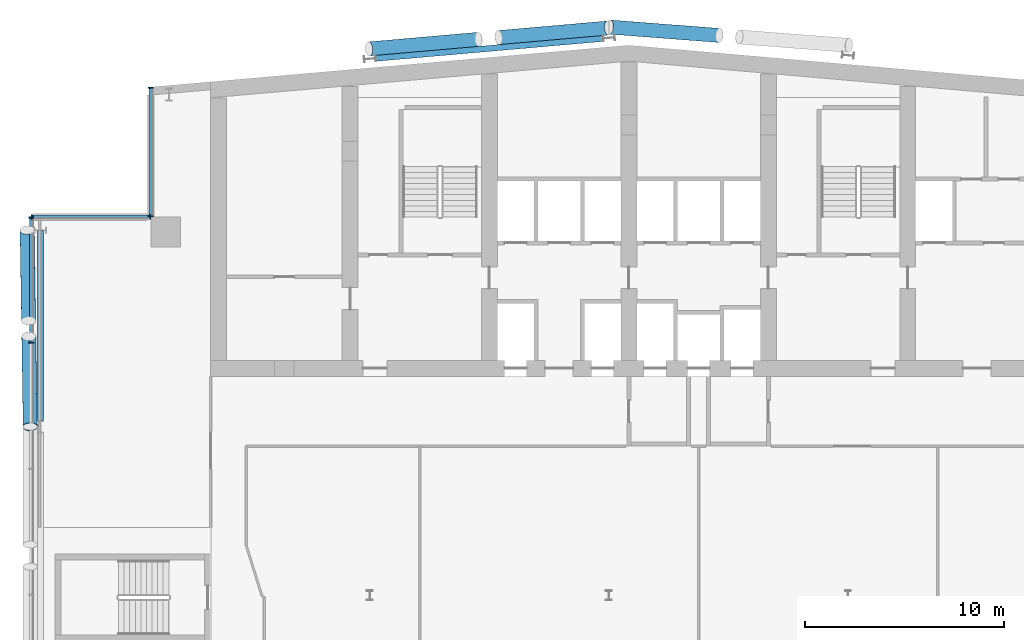
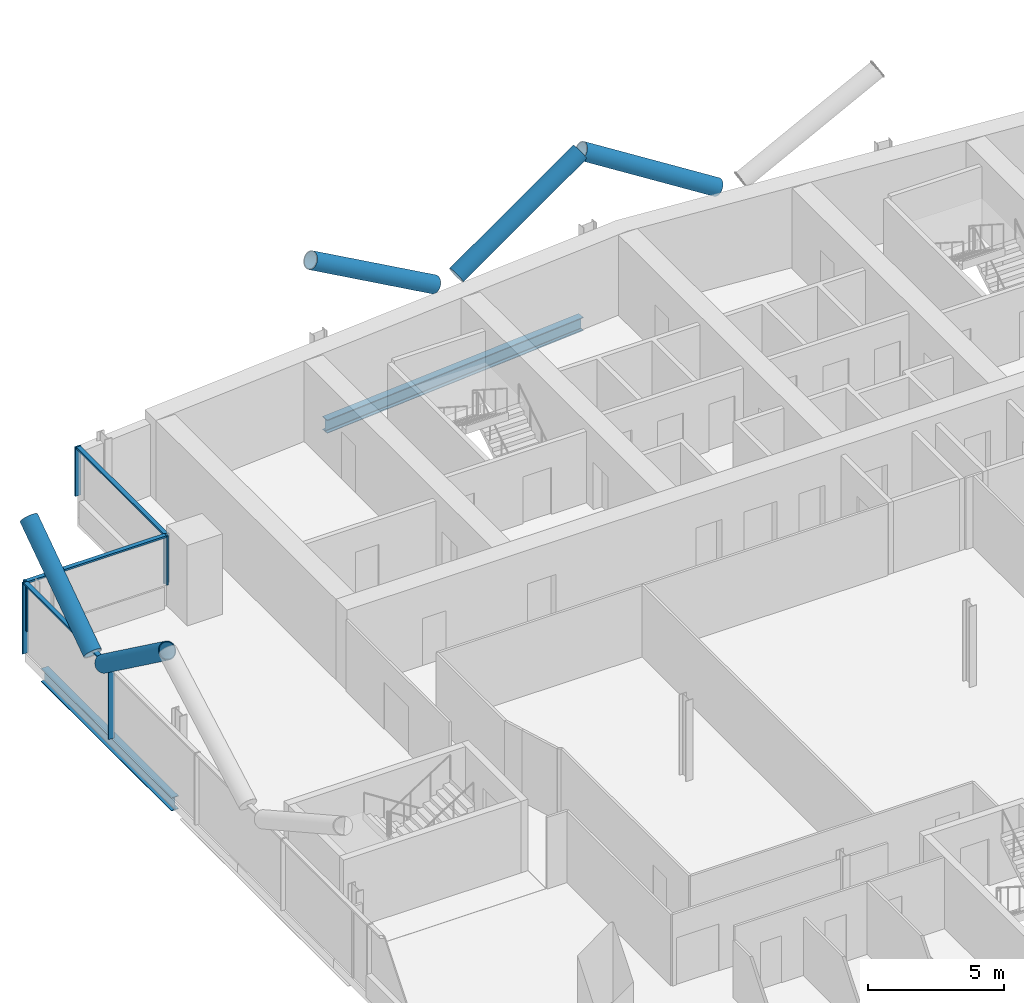
# One storey, part 9 of 26: 14 members, 2 beams, 3 elements without a shape of their own.
"""IFC4 building model written with IfcOpenShell, lengths in metres."""

import ifcopenshell
import ifcopenshell.guid

model = None  # the IFC model being written
_history = None  # IfcOwnerHistory: only IFC2X3 demands one
_inside = {}  # id of a spatial element -> (the spatial element, [elements in it])
_under = {}  # id of a project, library or spatial element -> (it, [spatial elements below it])
_declared = {}  # id of a project -> (the project, [libraries it declares])
_typed = {}  # id of a type object -> (the type object, [elements of that type])
_made_of = {}  # id of a material, layer set ... -> (it, [elements and type objects made of it])


def new_model(schema):
    """Start an empty IFC model of exactly this schema.

    Asked for "IFC4X3", IfcOpenShell would pick the latest addendum, in which some entities
    have other attributes; the version numbers below select the first issue.
    IFC2X3 requires an IfcOwnerHistory on every rooted entity: one is made here for all.
    """
    global model, _history
    if schema == "IFC4X3":
        model = ifcopenshell.file(schema_version=(4, 3, 0, 0))
    else:
        model = ifcopenshell.file(schema=schema)
    _inside.clear()
    _under.clear()
    _declared.clear()
    _typed.clear()
    _made_of.clear()
    _history = None
    if model.schema == "IFC2X3":
        org = make("IfcOrganization", Name="unknown")
        user = make(
            "IfcPersonAndOrganization",
            ThePerson=make("IfcPerson", FamilyName="unknown"),
            TheOrganization=org,
        )
        app = make(
            "IfcApplication",
            ApplicationDeveloper=org,
            Version="unknown",
            ApplicationFullName="unknown",
            ApplicationIdentifier="unknown",
        )
        _history = make(
            "IfcOwnerHistory",
            OwningUser=user,
            OwningApplication=app,
            ChangeAction="ADDED",
            CreationDate=0,
        )
    return model


def make(cls, **values):
    """One entity of the class cls with the attributes given. An attribute that is None is left unset."""
    return model.create_entity(
        cls, **{name: value for name, value in values.items() if value is not None}
    )


def rooted(cls, **values):
    """An entity with a GlobalId (a new one), such as an element, a storey or a relation."""
    return make(cls, GlobalId=ifcopenshell.guid.new(), OwnerHistory=_history, **values)


def si_unit(unit_type, name, prefix=None):
    """IfcSIUnit, for example si_unit("LENGTHUNIT", "METRE", prefix="MILLI")."""
    return make("IfcSIUnit", UnitType=unit_type, Prefix=prefix, Name=name)


def assignment(units):
    """IfcUnitAssignment: the units of a project."""
    return None if units is None else make("IfcUnitAssignment", Units=units)


def point(xyz):
    """IfcCartesianPoint."""
    return None if xyz is None else make("IfcCartesianPoint", Coordinates=xyz)


def direction(xyz):
    """IfcDirection."""
    return None if xyz is None else make("IfcDirection", DirectionRatios=xyz)


def frame(location, z_axis=None, x_axis=None):
    """IfcAxis2Placement3D, a coordinate frame: its origin and axes. An axis left out is left unset."""
    return make(
        "IfcAxis2Placement3D",
        Location=point(location),
        Axis=direction(z_axis),
        RefDirection=direction(x_axis),
    )


def frame_2d(location, x_axis=None):
    """IfcAxis2Placement2D, a coordinate frame in the plane: its origin and x axis."""
    return make(
        "IfcAxis2Placement2D", Location=point(location), RefDirection=direction(x_axis)
    )


def origin():
    """The frame at (0, 0, 0) with its axes left unset."""
    return frame((0.0, 0.0, 0.0))


def origin_2d():
    """The frame at (0, 0) in the plane with its x axis left unset."""
    return frame_2d((0.0, 0.0))


def place(relative_to, where):
    """IfcLocalPlacement: puts the frame where relative to a parent placement (None: the world)."""
    return make(
        "IfcLocalPlacement", PlacementRelTo=relative_to, RelativePlacement=where
    )


def context(
    kind, dimensions, precision=None, world=None, true_north=None, identifier=None
):
    """IfcGeometricRepresentationContext, for example the 3D "Model" context."""
    return make(
        "IfcGeometricRepresentationContext",
        ContextIdentifier=identifier,
        ContextType=kind,
        CoordinateSpaceDimension=dimensions,
        Precision=precision,
        WorldCoordinateSystem=world,
        TrueNorth=true_north,
    )


def subcontext(parent, identifier, kind, view, scale=None):
    """IfcGeometricRepresentationSubContext, for example "Body" below "Model"."""
    return make(
        "IfcGeometricRepresentationSubContext",
        ContextIdentifier=identifier,
        ContextType=kind,
        ParentContext=parent,
        TargetScale=scale,
        TargetView=view,
    )


def project(units=None, contexts=None):
    """IfcProject with its units and contexts."""
    return rooted(
        "IfcProject",
        Name="project",
        RepresentationContexts=contexts,
        UnitsInContext=assignment(units),
    )


def spatial(cls, under=None, at=None, **own):
    """A site, building, storey or space (cls), placed at a placement, below another one or the project."""
    s = rooted(cls, ObjectPlacement=at, **own)
    if under is not None:
        _under.setdefault(under.id(), (under, []))[1].append(s)
    return s


def profile(cls, at=None, kind="AREA", **sizes):
    """A parametric profile (cls). Its sizes go by their IFC names, for example OverallWidth=200.0."""
    return make(cls, ProfileType=kind, Position=at, **sizes)


def rectangle(**sizes):
    """IfcRectangleProfileDef."""
    return profile("IfcRectangleProfileDef", **sizes)


def hollow_circle(**sizes):
    """IfcCircleHollowProfileDef."""
    return profile("IfcCircleHollowProfileDef", **sizes)


def i_section(**sizes):
    """IfcIShapeProfileDef."""
    return profile("IfcIShapeProfileDef", **sizes)


def extrude(swept, where, along, depth):
    """IfcExtrudedAreaSolid: the profile swept, set in the frame where, extruded along a direction by depth."""
    return make(
        "IfcExtrudedAreaSolid",
        SweptArea=swept,
        Position=where,
        ExtrudedDirection=direction(along),
        Depth=depth,
    )


def shape(context_of_items, identifier, shape_type, items):
    """IfcShapeRepresentation: the items that make up one representation, for example the "Body"."""
    return make(
        "IfcShapeRepresentation",
        ContextOfItems=context_of_items,
        RepresentationIdentifier=identifier,
        RepresentationType=shape_type,
        Items=items,
    )


def material(Name=None, Category=None):
    """IfcMaterial."""
    return make("IfcMaterial", Name=Name, Category=Category)


def material_profile(
    of_material, cross_section, Name=None, Category=None, Priority=None
):
    """IfcMaterialProfile: a cross section and its material."""
    return make(
        "IfcMaterialProfile",
        Name=Name,
        Material=of_material,
        Profile=cross_section,
        Priority=Priority,
        Category=Category,
    )


def profile_set(profiles, Name=None, composite=None):
    """IfcMaterialProfileSet."""
    return make(
        "IfcMaterialProfileSet",
        Name=Name,
        MaterialProfiles=profiles,
        CompositeProfile=composite,
    )


def made_of(thing, what):
    """Note that an element or type object is made of a material, layer set ...; save() writes the relation."""
    if what is not None:
        _made_of.setdefault(what.id(), (what, []))[1].append(thing)
    return thing


def type_object(cls, material=None, **own):
    """A type object (cls), such as IfcWallType, which elements share."""
    return made_of(rooted(cls, **own), material)


def element(
    cls,
    number,
    at=None,
    inside=None,
    cuts=None,
    type_object=None,
    material=None,
    context=None,
    identifier="Body",
    shape_type=None,
    held_by="IfcProductDefinitionShape",
    body=None,
    shapes=None,
    **own,
):
    """One element of the class cls, such as IfcWall. Its Tag is "e" and its number.

    at: its placement. inside: the storey or other place that contains it. cuts: it is an
    opening in that element (IfcRelVoidsElement). A single representation is given by context,
    identifier, shape_type and body (its items); several are given by shapes. held_by: the class
    of the entity that holds the representations. save() writes the other relations.
    """
    e = rooted(cls, Tag="e%d" % number, ObjectPlacement=at, **own)
    if body is not None:
        shapes = [shape(context, identifier, shape_type, body)]
    if shapes is not None:
        e.Representation = make(held_by, Representations=shapes)
    if inside is not None:
        _inside.setdefault(inside.id(), (inside, []))[1].append(e)
    if cuts is not None:
        rooted(
            "IfcRelVoidsElement", RelatingBuildingElement=cuts, RelatedOpeningElement=e
        )
    if type_object is not None:
        _typed.setdefault(type_object.id(), (type_object, []))[1].append(e)
    return made_of(e, material)


def aggregate(whole, parts):
    """IfcRelAggregates: a whole, such as a stair, and the parts it consists of."""
    return rooted("IfcRelAggregates", RelatingObject=whole, RelatedObjects=parts)


def save(model, path):
    """Write the relations noted so far, then the file.

    IfcRelAggregates (storeys below a building ...), IfcRelContainedInSpatialStructure (elements
    in a storey), IfcRelDefinesByType, IfcRelAssociatesMaterial and IfcRelDeclares: one each for
    every whole, place, type object, material and project.
    """
    for whole, parts in _under.values():
        aggregate(whole, parts)
    for where, things in _inside.values():
        rooted(
            "IfcRelContainedInSpatialStructure",
            RelatedElements=things,
            RelatingStructure=where,
        )
    for kind, things in _typed.values():
        rooted("IfcRelDefinesByType", RelatedObjects=things, RelatingType=kind)
    for what, things in _made_of.values():
        rooted("IfcRelAssociatesMaterial", RelatedObjects=things, RelatingMaterial=what)
    for by, libraries in _declared.values():
        rooted("IfcRelDeclares", RelatingContext=by, RelatedDefinitions=libraries)
    model.write(path)


model = new_model("IFC4")

# Units and contexts
model_context = context("Model", 3, precision=1e-05, world=origin(), true_north=direction((0.0, 1.0)))
body_context = subcontext(model_context, "Body", "Model", "MODEL_VIEW")
ifc_project = project(units=[si_unit("LENGTHUNIT", "METRE"), si_unit("AREAUNIT", "SQUARE_METRE"), si_unit("VOLUMEUNIT", "CUBIC_METRE"), si_unit("PLANEANGLEUNIT", "RADIAN"), si_unit("MASSUNIT", "GRAM", prefix="KILO")], contexts=[model_context])

# Site, building, storey
site_placement = place(None, origin())
site = spatial("IfcSite", under=ifc_project, at=site_placement, CompositionType="ELEMENT")
building_placement = place(site_placement, origin())
building = spatial("IfcBuilding", under=site, at=building_placement, Name="Wharfspan Tower", CompositionType="ELEMENT")
storey_placement = place(building_placement, frame((0.0, 0.0, 180.699951)))
storey = spatial("IfcBuildingStorey", under=building, at=storey_placement, Name="L44", CompositionType="ELEMENT", Elevation=180.699951)

# Beams
ifc_material_1 = material(Name="Steel S355J2", Category="steel")
ifc_material_profile_1 = material_profile(ifc_material_1, i_section(OverallWidth=0.300049, OverallDepth=0.600098, WebThickness=0.015381, FlangeThickness=0.030029, FilletRadius=0.0271, at=origin_2d()))
ifc_profile_set_1 = profile_set([ifc_material_profile_1], Name="Steel S355J2")
beam_type = type_object("IfcBeamType", Name="Edge beam HEB 600", PredefinedType="SPANDREL", material=ifc_profile_set_1)
beam_1_placement = place(storey_placement, frame((35.705078, 50.961426, -0.699951), z_axis=(-0.996194, -0.087158, 0.0), x_axis=(0.087158, -0.996194, 0.0)))
element("IfcBeam", 1, at=beam_1_placement, inside=storey, type_object=beam_type, Name="Edge beam N1 L44 R.2 to R.1", PredefinedType="SPANDREL", context=body_context, shape_type="SweptSolid", body=[
    extrude(i_section(OverallWidth=0.300049, OverallDepth=0.600098, WebThickness=0.015381, FlangeThickness=0.030029, FilletRadius=0.0271, at=origin_2d()), origin(), (0.0, 0.0, 1.0), 11.453857),
])
beam_2_placement = place(storey_placement, frame((7.450439, 41.32666, -0.699951), z_axis=(-5.1e-05, -1.0, 0.0), x_axis=(1.0, -5.1e-05, 0.0)))
element("IfcBeam", 2, at=beam_2_placement, inside=storey, type_object=beam_type, Name="Edge beam W L44 PNRW-H.1 to PW.1", PredefinedType="SPANDREL", context=body_context, shape_type="SweptSolid", body=[
    extrude(i_section(OverallWidth=0.300049, OverallDepth=0.600098, WebThickness=0.015381, FlangeThickness=0.030029, FilletRadius=0.0271, at=origin_2d()), origin(), (0.0, 0.0, 1.0), 9.553955),
])

# Curtain wall, members
ifc_material_2 = material(Name="Aluminium 6063-T6", Category="aluminium")
curtain_wall_type = type_object("IfcCurtainWallType", Name="CURTAIN WALL PROW AND END", PredefinedType="NOTDEFINED", material=ifc_material_2)
curtain_wall_1_placement = place(storey_placement, origin())
curtain_wall_1 = element("IfcCurtainWall", 3, at=curtain_wall_1_placement, inside=storey, type_object=curtain_wall_type, Name="Curtain wall NRW-V", PredefinedType="NOTDEFINED")
ifc_material_profile_2 = material_profile(ifc_material_2, rectangle(XDim=0.23999, YDim=0.060059, at=origin_2d()))
ifc_profile_set_2 = profile_set([ifc_material_profile_2], Name="Aluminium 6063-T6")
member_type_1 = type_object("IfcMemberType", Name="MULLION PROW AND END 60x240", PredefinedType="MULLION", material=ifc_profile_set_2)
member_1_placement = place(storey_placement, frame((13.0, 48.494873, 1.0), z_axis=(0.0, 0.0, 1.0), x_axis=(1.0, 0.0, 0.0)))
member_1 = element("IfcMember", 4, at=member_1_placement, type_object=member_type_1, Name="Curtain wall NRW-V mullion 1", PredefinedType="MULLION", context=body_context, shape_type="SweptSolid", body=[
    extrude(rectangle(XDim=0.23999, YDim=0.060059, at=origin_2d()), origin(), (0.0, 0.0, 1.0), 2.199951),
])
member_2_placement = place(storey_placement, frame((13.0, 42.030029, 1.0), z_axis=(0.0, 0.0, 1.0), x_axis=(1.0, 0.0, 0.0)))
member_2 = element("IfcMember", 5, at=member_2_placement, type_object=member_type_1, Name="Curtain wall NRW-V mullion 2", PredefinedType="MULLION", context=body_context, shape_type="SweptSolid", body=[
    extrude(rectangle(XDim=0.23999, YDim=0.060059, at=origin_2d()), origin(), (0.0, 0.0, 1.0), 2.199951),
])

curtain_wall_2_placement = place(storey_placement, origin())
curtain_wall_2 = element("IfcCurtainWall", 6, at=curtain_wall_2_placement, inside=storey, type_object=curtain_wall_type, Name="Curtain wall NRW-H", PredefinedType="NOTDEFINED")
member_3_placement = place(storey_placement, frame((12.969971, 42.0, 1.0), z_axis=(0.0, 0.0, 1.0), x_axis=(0.0, -1.0, 0.0)))
member_3 = element("IfcMember", 7, at=member_3_placement, type_object=member_type_1, Name="Curtain wall NRW-H mullion 1", PredefinedType="MULLION", context=body_context, shape_type="SweptSolid", body=[
    extrude(rectangle(XDim=0.23999, YDim=0.060059, at=origin_2d()), origin(), (0.0, 0.0, 1.0), 2.199951),
])
member_4_placement = place(storey_placement, frame((7.030029, 42.0, 1.0), z_axis=(0.0, 0.0, 1.0), x_axis=(0.0, -1.0, 0.0)))
member_4 = element("IfcMember", 8, at=member_4_placement, type_object=member_type_1, Name="Curtain wall NRW-H mullion 2", PredefinedType="MULLION", context=body_context, shape_type="SweptSolid", body=[
    extrude(rectangle(XDim=0.23999, YDim=0.060059, at=origin_2d()), origin(), (0.0, 0.0, 1.0), 2.199951),
])

curtain_wall_3_placement = place(storey_placement, origin())
curtain_wall_3 = element("IfcCurtainWall", 9, at=curtain_wall_3_placement, inside=storey, type_object=curtain_wall_type, Name="Curtain wall W", PredefinedType="NOTDEFINED")
member_5_placement = place(storey_placement, frame((7.0, 41.969971, 0.0), z_axis=(0.0, 0.0, 1.0), x_axis=(1.0, 0.0, 0.0)))
member_5 = element("IfcMember", 10, at=member_5_placement, type_object=member_type_1, Name="Curtain wall W mullion 1", PredefinedType="MULLION", context=body_context, shape_type="SweptSolid", body=[
    extrude(rectangle(XDim=0.23999, YDim=0.060059, at=origin_2d()), origin(), (0.0, 0.0, 1.0), 3.199951),
])
member_6_placement = place(storey_placement, frame((7.0, 35.679932, 0.0), z_axis=(0.0, 0.0, 1.0), x_axis=(1.0, 0.0, 0.0)))
member_6 = element("IfcMember", 11, at=member_6_placement, type_object=member_type_1, Name="Curtain wall W mullion 2", PredefinedType="MULLION", context=body_context, shape_type="SweptSolid", body=[
    extrude(rectangle(XDim=0.23999, YDim=0.060059, at=origin_2d()), origin(), (0.0, 0.0, 1.0), 3.199951),
])

# Members
ifc_material_3 = material(Name="Steel S460NH", Category="steel")
ifc_material_profile_3 = material_profile(ifc_material_3, hollow_circle(Radius=0.355469, WallThickness=0.035889, at=origin_2d()))
ifc_profile_set_3 = profile_set([ifc_material_profile_3], Name="Steel S460NH")
member_type_2 = type_object("IfcMemberType", Name="Mega brace CHS 711x36", PredefinedType="BRACE", material=ifc_profile_set_3)
member_7_placement = place(storey_placement, frame((6.872803, 36.009033, 3.185303), z_axis=(0.01285, -0.807732, 0.58941), x_axis=(0.999874, 0.015906, -1e-06)))
element("IfcMember", 12, at=member_7_placement, inside=storey, type_object=member_type_2, Name="Mega brace W4 L44 part 2", PredefinedType="BRACE", context=body_context, shape_type="SweptSolid", body=[
    extrude(hollow_circle(Radius=0.355469, WallThickness=0.035889, at=origin_2d()), origin(), (0.0, 0.0, 1.0), 5.623779),
])
member_8_placement = place(storey_placement, frame((6.860352, 36.790771, 3.185303), z_axis=(-0.012851, 0.807716, 0.589431), x_axis=(-0.999873, -0.015909, 1e-06)))
element("IfcMember", 13, at=member_8_placement, inside=storey, type_object=member_type_2, Name="Mega brace W4 L44 part 4", PredefinedType="BRACE", context=body_context, shape_type="SweptSolid", body=[
    extrude(hollow_circle(Radius=0.355469, WallThickness=0.035889, at=origin_2d()), origin(), (0.0, 0.0, 1.0), 5.623535),
])
member_9_placement = place(storey_placement, frame((30.461426, 51.00708, 3.203125), z_axis=(0.855094, 0.074807, 0.513049), x_axis=(-0.087152, 0.996192, 2e-06)))
element("IfcMember", 14, at=member_9_placement, inside=storey, type_object=member_type_2, Name="Mega brace N7 L44 part 2", PredefinedType="BRACE", context=body_context, shape_type="SweptSolid", body=[
    extrude(hollow_circle(Radius=0.355469, WallThickness=0.035889, at=origin_2d()), origin(), (0.0, 0.0, 1.0), 6.426025),
])
member_10_placement = place(storey_placement, frame((29.450928, 50.918701, 3.203125), z_axis=(-0.855083, -0.074809, 0.513065), x_axis=(0.087154, -0.996196, -1e-06)))
element("IfcMember", 15, at=member_10_placement, inside=storey, type_object=member_type_2, Name="Mega brace N7 L44 part 4", PredefinedType="BRACE", context=body_context, shape_type="SweptSolid", body=[
    extrude(hollow_circle(Radius=0.355469, WallThickness=0.035889, at=origin_2d()), origin(), (0.0, 0.0, 1.0), 6.425781),
])
member_11_placement = place(storey_placement, frame((41.533447, 51.114502, 3.203125), z_axis=(-0.855612, 0.065363, 0.513474), x_axis=(-0.07617, -0.997093, 2e-06)))
element("IfcMember", 16, at=member_11_placement, inside=storey, type_object=member_type_2, Name="Mega brace N8 L44 part 4", PredefinedType="BRACE", context=body_context, shape_type="SweptSolid", body=[
    extrude(hollow_circle(Radius=0.355469, WallThickness=0.035889, at=origin_2d()), origin(), (0.0, 0.0, 1.0), 6.420654),
])

# Member
ifc_material_profile_4 = material_profile(ifc_material_2, rectangle(XDim=0.179932, YDim=0.080078, at=origin_2d()))
ifc_profile_set_4 = profile_set([ifc_material_profile_4], Name="Aluminium 6063-T6")
member_type_3 = type_object("IfcMemberType", Name="TRANSOM PROW AND END 80x180", PredefinedType="USERDEFINED", material=ifc_profile_set_4)
member_12_placement = place(storey_placement, frame((13.0, 48.464844, 3.160156), z_axis=(0.0, -1.0, 0.0), x_axis=(1.0, 0.0, 0.0)))
member_12 = element("IfcMember", 17, at=member_12_placement, type_object=member_type_3, Name="Curtain wall NRW-V transom 1", ObjectType="TRANSOM", PredefinedType="USERDEFINED", context=body_context, shape_type="SweptSolid", body=[
    extrude(rectangle(XDim=0.179932, YDim=0.080078, at=origin_2d()), origin(), (0.0, 0.0, 1.0), 6.404785),
])

aggregate(curtain_wall_1, [member_1, member_2, member_12])

member_13_placement = place(storey_placement, frame((12.939941, 42.0, 3.160156), z_axis=(-1.0, 0.0, 0.0), x_axis=(0.0, -1.0, 0.0)))
member_13 = element("IfcMember", 18, at=member_13_placement, type_object=member_type_3, Name="Curtain wall NRW-H transom 1", ObjectType="TRANSOM", PredefinedType="USERDEFINED", context=body_context, shape_type="SweptSolid", body=[
    extrude(rectangle(XDim=0.179932, YDim=0.080078, at=origin_2d()), origin(), (0.0, 0.0, 1.0), 5.879883),
])

aggregate(curtain_wall_2, [member_3, member_4, member_13])

member_14_placement = place(storey_placement, frame((7.0, 41.939941, 3.160156), z_axis=(0.0, -1.0, 0.0), x_axis=(1.0, 0.0, 0.0)))
member_14 = element("IfcMember", 19, at=member_14_placement, type_object=member_type_3, Name="Curtain wall W transom 1", ObjectType="TRANSOM", PredefinedType="USERDEFINED", context=body_context, shape_type="SweptSolid", body=[
    extrude(rectangle(XDim=0.179932, YDim=0.080078, at=origin_2d()), origin(), (0.0, 0.0, 1.0), 6.22998),
])

aggregate(curtain_wall_3, [member_5, member_6, member_14])

save(model, "model.ifc")
